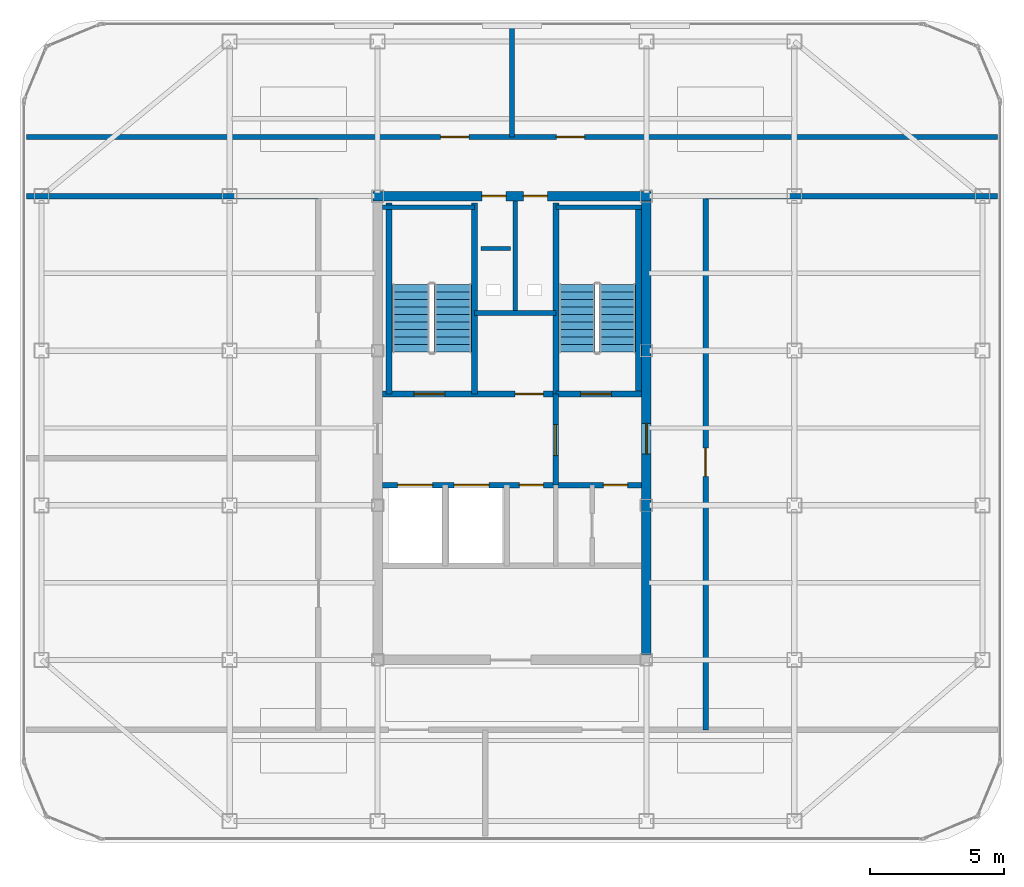
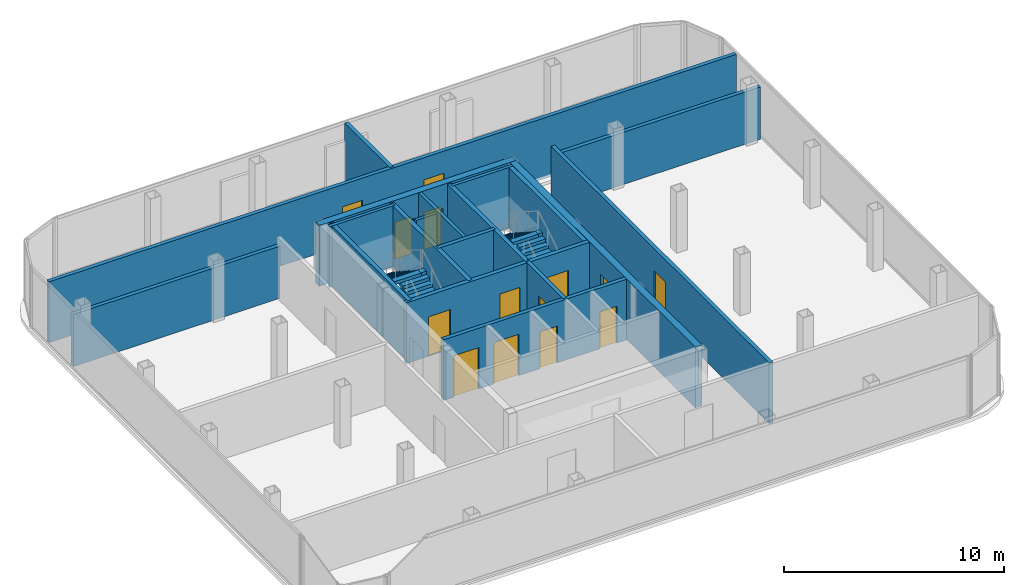
# One storey, part 10 of 11: 20 walls, 14 doors, 4 stair flights, 14 openings, 2 elements without a shape of their own.
"""IFC4 building model written with IfcOpenShell, lengths in metres."""

from ifc_helpers import new_model, si_unit, direction, frame, frame_2d, origin, place, context, subcontext, project, spatial, polyline, rectangle, outline, extrude, material, layer, layer_set, type_object, element, fill, aggregate, save


model = new_model("IFC4")

# Units and contexts
model_context = context("Model", 3, precision=1e-05, world=origin(), true_north=direction((0.0, 1.0)))
body_context = subcontext(model_context, "Body", "Model", "MODEL_VIEW")
ifc_project = project(units=[si_unit("LENGTHUNIT", "METRE"), si_unit("AREAUNIT", "SQUARE_METRE"), si_unit("VOLUMEUNIT", "CUBIC_METRE"), si_unit("PLANEANGLEUNIT", "RADIAN"), si_unit("MASSUNIT", "GRAM", prefix="KILO")], contexts=[model_context])

# Site, building, storey
site_placement = place(None, origin())
site = spatial("IfcSite", under=ifc_project, at=site_placement, CompositionType="ELEMENT")
building_placement = place(site_placement, origin())
building = spatial("IfcBuilding", under=site, at=building_placement, Name="Kolveth Station Tower", CompositionType="ELEMENT")
storey_placement = place(building_placement, frame((0.0, 0.0, 274.89990234375)))
storey = spatial("IfcBuildingStorey", under=building, at=storey_placement, Name="L79", CompositionType="ELEMENT", Elevation=274.89990234375)

# Wall, openings, doors
ifc_material_1 = material(Name="Concrete C50/60", Category="concrete")
ifc_layer_1 = layer(ifc_material_1, 0.35009765625)
ifc_layer_set_1 = layer_set([ifc_layer_1], Name="Concrete C50/60")
wall_type_1 = type_object("IfcWallType", Name="Wall_CW-350", PredefinedType="SHEAR", material=ifc_layer_set_1)
wall_1_placement = place(storey_placement, frame((18.324951171875, 28.75, 0.0), z_axis=(0.0, 0.0, 1.0), x_axis=(1.0, 0.0, 0.0)))
wall_1 = element("IfcWall", 1, at=wall_1_placement, inside=storey, type_object=wall_type_1, Name="L79 Core RC Shear Wall N", PredefinedType="SHEAR", context=body_context, shape_type="SweptSolid", body=[
    extrude(rectangle(XDim=10.35009765625, YDim=0.35009765625, at=frame_2d((5.175048828125, 0.0))), origin(), (0.0, 0.0, 1.0), 3.380126953125),
])
opening_1_placement = place(wall_1_placement, frame((4.054931640625, 0.0, 0.0)))
opening_1 = element("IfcOpeningElement", 2, at=opening_1_placement, cuts=wall_1, Name="Opening RD1", PredefinedType="OPENING", context=body_context, shape_type="SweptSolid", body=[
    extrude(rectangle(XDim=0.89990234375, YDim=2.050048828125, at=frame_2d((0.449951171875, 1.02490234375))), frame((0.0, 0.18505859375, 0.0), z_axis=(0.0, -1.0, 0.0), x_axis=(1.0, 0.0, 0.0)), (0.0, 0.0, 1.0), 0.3701171875),
])
opening_2_placement = place(wall_1_placement, frame((5.594970703125, 0.0, 0.0)))
opening_2 = element("IfcOpeningElement", 3, at=opening_2_placement, cuts=wall_1, Name="Opening RD1", PredefinedType="OPENING", context=body_context, shape_type="SweptSolid", body=[
    extrude(rectangle(XDim=0.89990234375, YDim=2.050048828125, at=frame_2d((0.449951171875, 1.02490234375))), frame((0.0, 0.18505859375, 0.0), z_axis=(0.0, -1.0, 0.0), x_axis=(1.0, 0.0, 0.0)), (0.0, 0.0, 1.0), 0.3701171875),
])
ifc_material_2 = material(Name="Fire-rated Steel S355 riser access leaf", Category="steel")
door_type_1 = type_object("IfcDoorType", Name="Door_RD1", OperationType="NOTDEFINED", PredefinedType="DOOR", material=ifc_material_2)
door_1_placement = place(opening_1_placement, origin())
door_1 = element("IfcDoor", 4, at=door_1_placement, inside=storey, type_object=door_type_1, Name="L79 Electrical Riser Access Door", OperationType="SINGLE_SWING_LEFT", OverallHeight=2.050048828125, OverallWidth=0.89990234375, PredefinedType="DOOR", context=body_context, shape_type="SweptSolid", body=[
    extrude(rectangle(XDim=0.89990234375, YDim=2.050048828125, at=frame_2d((0.449951171875, 1.02490234375))), frame((0.0, 0.02490234375, 0.0), z_axis=(0.0, -1.0, 0.0), x_axis=(1.0, 0.0, 0.0)), (0.0, 0.0, 1.0), 0.050048828125),
])
fill(opening_1, door_1)
door_2_placement = place(opening_2_placement, origin())
door_2 = element("IfcDoor", 5, at=door_2_placement, inside=storey, type_object=door_type_1, Name="L79 Smoke Duct Access Door", OperationType="SINGLE_SWING_LEFT", OverallHeight=2.050048828125, OverallWidth=0.89990234375, PredefinedType="DOOR", context=body_context, shape_type="SweptSolid", body=[
    extrude(rectangle(XDim=0.89990234375, YDim=2.050048828125, at=frame_2d((0.449951171875, 1.02490234375))), frame((0.0, 0.02490234375, 0.0), z_axis=(0.0, -1.0, 0.0), x_axis=(1.0, 0.0, 0.0)), (0.0, 0.0, 1.0), 0.050048828125),
])
fill(opening_2, door_2)

# Wall, opening, door
wall_2_placement = place(storey_placement, frame((28.5, 11.675048828125, 0.0), z_axis=(0.0, 0.0, 1.0), x_axis=(0.0, 1.0, 0.0)))
wall_2 = element("IfcWall", 6, at=wall_2_placement, inside=storey, type_object=wall_type_1, Name="L79 Core RC Shear Wall E", PredefinedType="SHEAR", context=body_context, shape_type="SweptSolid", body=[
    extrude(rectangle(XDim=16.89990234375, YDim=0.35009765625, at=frame_2d((8.449951171875, 0.0))), origin(), (0.0, 0.0, 1.0), 3.380126953125),
])
opening_3_placement = place(wall_2_placement, frame((7.47509765625, 0.0, 0.0)))
opening_3 = element("IfcOpeningElement", 7, at=opening_3_placement, cuts=wall_2, Name="Opening FD1", PredefinedType="OPENING", context=body_context, shape_type="SweptSolid", body=[
    extrude(rectangle(XDim=1.14990234375, YDim=2.199951171875, at=frame_2d((0.574951171875, 1.10009765625))), frame((0.0, 0.18505859375, 0.0), z_axis=(0.0, -1.0, 0.0), x_axis=(1.0, 0.0, 0.0)), (0.0, 0.0, 1.0), 0.3701171875),
])
ifc_material_3 = material(Name="Fire-rated Steel S355 leaf and frame", Category="steel")
door_type_2 = type_object("IfcDoorType", Name="Door_FD1", OperationType="NOTDEFINED", PredefinedType="DOOR", material=ifc_material_3)
door_3_placement = place(opening_3_placement, origin())
door_3 = element("IfcDoor", 8, at=door_3_placement, inside=storey, type_object=door_type_2, Name="L79 East Corridor to Stair Lobby Door", OperationType="SINGLE_SWING_RIGHT", OverallHeight=2.199951171875, OverallWidth=1.14990234375, PredefinedType="DOOR", context=body_context, shape_type="SweptSolid", body=[
    extrude(rectangle(XDim=1.14990234375, YDim=2.199951171875, at=frame_2d((0.574951171875, 1.10009765625))), frame((0.0, 0.02490234375, 0.0), z_axis=(0.0, -1.0, 0.0), x_axis=(1.0, 0.0, 0.0)), (0.0, 0.0, 1.0), 0.050048828125),
])
fill(opening_3, door_3)

# Walls
ifc_material_4 = material(Name="Acoustic double-stud gypsum partition")
ifc_layer_2 = layer(ifc_material_4, 0.1650390625)
ifc_layer_set_2 = layer_set([ifc_layer_2], Name="Acoustic double-stud gypsum partition")
wall_type_2 = type_object("IfcWallType", Name="Wall_IW-165", PredefinedType="PARTITIONING", material=ifc_layer_set_2)
wall_3_placement = place(storey_placement, frame((18.68505859375, 28.3349609375, 0.0), z_axis=(0.0, 0.0, 1.0), x_axis=(1.0, 0.0, 0.0)))
element("IfcWall", 9, at=wall_3_placement, inside=storey, type_object=wall_type_2, Name="L79 Stair Shaft Wall WL-L79-ST1-N", PredefinedType="PARTITIONING", context=body_context, shape_type="SweptSolid", body=[
    extrude(rectangle(XDim=3.425048828125, YDim=0.1650390625, at=frame_2d((1.71240234375, 0.0))), origin(), (0.0, 0.0, 1.0), 3.380126953125),
])
wall_4_placement = place(storey_placement, frame((25.1298828125, 28.3349609375, 0.0), z_axis=(0.0, 0.0, 1.0), x_axis=(1.0, 0.0, 0.0)))
element("IfcWall", 10, at=wall_4_placement, inside=storey, type_object=wall_type_2, Name="L79 Stair Shaft Wall WL-L79-ST2-N", PredefinedType="PARTITIONING", context=body_context, shape_type="SweptSolid", body=[
    extrude(rectangle(XDim=3.18505859375, YDim=0.1650390625, at=frame_2d((1.592529296875, 0.0))), origin(), (0.0, 0.0, 1.0), 3.380126953125),
])
wall_5_placement = place(storey_placement, frame((23.6201171875, 24.39990234375, 0.0), z_axis=(0.0, 0.0, 1.0), x_axis=(0.0, 1.0, 0.0)))
element("IfcWall", 11, at=wall_5_placement, inside=storey, type_object=wall_type_2, Name="L79 Partition Wall WL-L79-RSR-M", PredefinedType="PARTITIONING", context=body_context, shape_type="SweptSolid", body=[
    extrude(rectangle(XDim=4.1650390625, YDim=0.1650390625, at=frame_2d((2.08251953125, 0.0))), origin(), (0.0, 0.0, 1.0), 3.380126953125),
])
wall_6_placement = place(storey_placement, frame((22.35009765625, 26.800048828125, 0.0), z_axis=(0.0, 0.0, 1.0), x_axis=(1.0, 0.0, 0.0)))
element("IfcWall", 12, at=wall_6_placement, inside=storey, type_object=wall_type_2, Name="L79 Acoustic Riser Dry-Lining Wall", PredefinedType="PARTITIONING", context=body_context, shape_type="SweptSolid", body=[
    extrude(rectangle(XDim=1.099853515625, YDim=0.1650390625, at=frame_2d((0.5498046875, 0.0))), origin(), (0.0, 0.0, 1.0), 3.380126953125),
])
ifc_material_5 = material(Name="Acoustic fire-rated gypsum blockwork", Category="masonry")
ifc_layer_3 = layer(ifc_material_5, 0.199951171875)
ifc_layer_set_3 = layer_set([ifc_layer_3], Name="Acoustic fire-rated gypsum blockwork")
wall_type_3 = type_object("IfcWallType", Name="Wall_IW-200", PredefinedType="PARTITIONING", material=ifc_layer_set_3)
wall_7_placement = place(storey_placement, frame((22.110107421875, 24.39990234375, 0.0), z_axis=(0.0, 0.0, 1.0), x_axis=(1.0, 0.0, 0.0)))
element("IfcWall", 13, at=wall_7_placement, inside=storey, type_object=wall_type_3, Name="L79 Partition Wall WL-L79-RSR-S", PredefinedType="PARTITIONING", context=body_context, shape_type="SweptSolid", body=[
    extrude(rectangle(XDim=3.019775390625, YDim=0.199951171875, at=frame_2d((1.509765625, 0.0))), origin(), (0.0, 0.0, 1.0), 3.380126953125),
])

# Wall, opening, door
wall_8_placement = place(storey_placement, frame((25.1298828125, 18.0, 0.0), z_axis=(0.0, 0.0, 1.0), x_axis=(0.0, 1.0, 0.0)))
wall_8 = element("IfcWall", 14, at=wall_8_placement, inside=storey, type_object=wall_type_3, Name="L79 Partition Wall WL-L79-FFL-E", PredefinedType="PARTITIONING", context=body_context, shape_type="SweptSolid", body=[
    extrude(rectangle(XDim=3.389892578125, YDim=0.199951171875, at=frame_2d((1.69482421875, 0.0))), origin(), (0.0, 0.0, 1.0), 3.380126953125),
])
opening_4_placement = place(wall_8_placement, frame((1.10009765625, 0.0, 0.0)))
opening_4 = element("IfcOpeningElement", 15, at=opening_4_placement, cuts=wall_8, Name="Opening FD1", PredefinedType="OPENING", context=body_context, shape_type="SweptSolid", body=[
    extrude(rectangle(XDim=1.14990234375, YDim=2.199951171875, at=frame_2d((0.574951171875, 1.10009765625))), frame((0.0, 0.10986328125, 0.0), z_axis=(0.0, -1.0, 0.0), x_axis=(1.0, 0.0, 0.0)), (0.0, 0.0, 1.0), 0.219970703125),
])
door_4_placement = place(opening_4_placement, origin())
door_4 = element("IfcDoor", 16, at=door_4_placement, inside=storey, type_object=door_type_2, Name="L79 Firefighting to Stair Lobby Door", OperationType="SINGLE_SWING_LEFT", OverallHeight=2.199951171875, OverallWidth=1.14990234375, PredefinedType="DOOR", context=body_context, shape_type="SweptSolid", body=[
    extrude(rectangle(XDim=1.14990234375, YDim=2.199951171875, at=frame_2d((0.574951171875, 1.10009765625))), frame((0.0, 0.02490234375, 0.0), z_axis=(0.0, -1.0, 0.0), x_axis=(1.0, 0.0, 0.0)), (0.0, 0.0, 1.0), 0.050048828125),
])
fill(opening_4, door_4)

# Wall, openings, doors
wall_9_placement = place(storey_placement, frame((18.68505859375, 18.0, 0.0), z_axis=(0.0, 0.0, 1.0), x_axis=(1.0, 0.0, 0.0)))
wall_9 = element("IfcWall", 17, at=wall_9_placement, inside=storey, type_object=wall_type_3, Name="L79 Partition Wall WL-L79-FFL-S", PredefinedType="PARTITIONING", context=body_context, shape_type="SweptSolid", body=[
    extrude(rectangle(XDim=9.6298828125, YDim=0.199951171875, at=frame_2d((4.81494140625, 0.0))), origin(), (0.0, 0.0, 1.0), 3.380126953125),
])
opening_5_placement = place(wall_9_placement, frame((0.56494140625, 0.0, 0.0)))
opening_5 = element("IfcOpeningElement", 18, at=opening_5_placement, cuts=wall_9, Name="Opening LD2", PredefinedType="OPENING", context=body_context, shape_type="SweptSolid", body=[
    extrude(rectangle(XDim=1.300048828125, YDim=2.300048828125, at=frame_2d((0.64990234375, 1.14990234375))), frame((0.0, 0.10986328125, 0.0), z_axis=(0.0, -1.0, 0.0), x_axis=(1.0, 0.0, 0.0)), (0.0, 0.0, 1.0), 0.219970703125),
])
opening_6_placement = place(wall_9_placement, frame((2.6650390625, 0.0, 0.0)))
opening_6 = element("IfcOpeningElement", 19, at=opening_6_placement, cuts=wall_9, Name="Opening LD2", PredefinedType="OPENING", context=body_context, shape_type="SweptSolid", body=[
    extrude(rectangle(XDim=1.300048828125, YDim=2.300048828125, at=frame_2d((0.64990234375, 1.14990234375))), frame((0.0, 0.10986328125, 0.0), z_axis=(0.0, -1.0, 0.0), x_axis=(1.0, 0.0, 0.0)), (0.0, 0.0, 1.0), 0.219970703125),
])
opening_7_placement = place(wall_9_placement, frame((5.0849609375, 0.0, 0.0)))
opening_7 = element("IfcOpeningElement", 20, at=opening_7_placement, cuts=wall_9, Name="Opening RD1", PredefinedType="OPENING", context=body_context, shape_type="SweptSolid", body=[
    extrude(rectangle(XDim=0.89990234375, YDim=2.050048828125, at=frame_2d((0.449951171875, 1.02490234375))), frame((0.0, 0.10986328125, 0.0), z_axis=(0.0, -1.0, 0.0), x_axis=(1.0, 0.0, 0.0)), (0.0, 0.0, 1.0), 0.219970703125),
])
opening_8_placement = place(wall_9_placement, frame((8.215087890625, 0.0, 0.0)))
opening_8 = element("IfcOpeningElement", 21, at=opening_8_placement, cuts=wall_9, Name="Opening RD1", PredefinedType="OPENING", context=body_context, shape_type="SweptSolid", body=[
    extrude(rectangle(XDim=0.89990234375, YDim=2.050048828125, at=frame_2d((0.449951171875, 1.02490234375))), frame((0.0, 0.10986328125, 0.0), z_axis=(0.0, -1.0, 0.0), x_axis=(1.0, 0.0, 0.0)), (0.0, 0.0, 1.0), 0.219970703125),
])
ifc_material_6 = material(Name="Firefighting stainless steel sliding landing doors", Category="steel")
door_type_3 = type_object("IfcDoorType", Name="Door_LD2", OperationType="NOTDEFINED", PredefinedType="DOOR", material=ifc_material_6)
door_5_placement = place(opening_5_placement, origin())
door_5 = element("IfcDoor", 22, at=door_5_placement, inside=storey, type_object=door_type_3, Name="L79 Firefighting Lift FF1 Landing Door", OperationType="DOUBLE_DOOR_SLIDING", OverallHeight=2.300048828125, OverallWidth=1.300048828125, PredefinedType="DOOR", context=body_context, shape_type="SweptSolid", body=[
    extrude(rectangle(XDim=1.300048828125, YDim=2.300048828125, at=frame_2d((0.64990234375, 1.14990234375))), frame((0.0, 0.02490234375, 0.0), z_axis=(0.0, -1.0, 0.0), x_axis=(1.0, 0.0, 0.0)), (0.0, 0.0, 1.0), 0.050048828125),
])
fill(opening_5, door_5)
door_6_placement = place(opening_6_placement, origin())
door_6 = element("IfcDoor", 23, at=door_6_placement, inside=storey, type_object=door_type_3, Name="L79 Firefighting Lift FF2 Landing Door", OperationType="DOUBLE_DOOR_SLIDING", OverallHeight=2.300048828125, OverallWidth=1.300048828125, PredefinedType="DOOR", context=body_context, shape_type="SweptSolid", body=[
    extrude(rectangle(XDim=1.300048828125, YDim=2.300048828125, at=frame_2d((0.64990234375, 1.14990234375))), frame((0.0, 0.02490234375, 0.0), z_axis=(0.0, -1.0, 0.0), x_axis=(1.0, 0.0, 0.0)), (0.0, 0.0, 1.0), 0.050048828125),
])
fill(opening_6, door_6)
door_7_placement = place(opening_7_placement, frame((0.89990234375, 0.0, 0.0), z_axis=(0.0, 0.0, 1.0), x_axis=(-1.0, 0.0, 0.0)))
door_7 = element("IfcDoor", 24, at=door_7_placement, inside=storey, type_object=door_type_1, Name="L79 Core Staff WC Door", OperationType="SINGLE_SWING_RIGHT", OverallHeight=2.050048828125, OverallWidth=0.89990234375, PredefinedType="DOOR", context=body_context, shape_type="SweptSolid", body=[
    extrude(rectangle(XDim=0.89990234375, YDim=2.050048828125, at=frame_2d((0.449951171875, 1.02490234375))), frame((0.0, 0.02490234375, 0.0), z_axis=(0.0, -1.0, 0.0), x_axis=(1.0, 0.0, 0.0)), (0.0, 0.0, 1.0), 0.050048828125),
])
fill(opening_7, door_7)
door_8_placement = place(opening_8_placement, frame((0.89990234375, 0.0, 0.0), z_axis=(0.0, 0.0, 1.0), x_axis=(-1.0, 0.0, 0.0)))
door_8 = element("IfcDoor", 25, at=door_8_placement, inside=storey, type_object=door_type_1, Name="L79 Core Janitor Store Door", OperationType="SINGLE_SWING_RIGHT", OverallHeight=2.050048828125, OverallWidth=0.89990234375, PredefinedType="DOOR", context=body_context, shape_type="SweptSolid", body=[
    extrude(rectangle(XDim=0.89990234375, YDim=2.050048828125, at=frame_2d((0.449951171875, 1.02490234375))), frame((0.0, 0.02490234375, 0.0), z_axis=(0.0, -1.0, 0.0), x_axis=(1.0, 0.0, 0.0)), (0.0, 0.0, 1.0), 0.050048828125),
])
fill(opening_8, door_8)

wall_10_placement = place(storey_placement, frame((5.449951171875, 30.949951171875, 0.0), z_axis=(0.0, 0.0, 1.0), x_axis=(1.0, 0.0, 0.0)))
wall_10 = element("IfcWall", 26, at=wall_10_placement, inside=storey, type_object=wall_type_3, Name="L79 Partition Wall WL-L79-PR-N", PredefinedType="PARTITIONING", context=body_context, shape_type="SweptSolid", body=[
    extrude(rectangle(XDim=36.10009765625, YDim=0.199951171875, at=frame_2d((18.050048828125, 0.0))), origin(), (0.0, 0.0, 1.0), 3.380126953125),
])
opening_9_placement = place(wall_10_placement, frame((15.39990234375, 0.0, 0.0)))
opening_9 = element("IfcOpeningElement", 27, at=opening_9_placement, cuts=wall_10, Name="Opening FD2", PredefinedType="OPENING", context=body_context, shape_type="SweptSolid", body=[
    extrude(rectangle(XDim=1.050048828125, YDim=2.14990234375, at=frame_2d((0.52490234375, 1.074951171875))), frame((0.0, 0.10986328125, 0.0), z_axis=(0.0, -1.0, 0.0), x_axis=(1.0, 0.0, 0.0)), (0.0, 0.0, 1.0), 0.219970703125),
])
opening_10_placement = place(wall_10_placement, frame((19.699951171875, 0.0, 0.0)))
opening_10 = element("IfcOpeningElement", 28, at=opening_10_placement, cuts=wall_10, Name="Opening FD2", PredefinedType="OPENING", context=body_context, shape_type="SweptSolid", body=[
    extrude(rectangle(XDim=1.050048828125, YDim=2.14990234375, at=frame_2d((0.52490234375, 1.074951171875))), frame((0.0, 0.10986328125, 0.0), z_axis=(0.0, -1.0, 0.0), x_axis=(1.0, 0.0, 0.0)), (0.0, 0.0, 1.0), 0.219970703125),
])
door_type_4 = type_object("IfcDoorType", Name="Door_FD2", OperationType="NOTDEFINED", PredefinedType="DOOR", material=ifc_material_3)
door_9_placement = place(opening_9_placement, origin())
door_9 = element("IfcDoor", 29, at=door_9_placement, inside=storey, type_object=door_type_4, Name="L79 Water Tank Room Door", OperationType="SINGLE_SWING_LEFT", OverallHeight=2.14990234375, OverallWidth=1.050048828125, PredefinedType="DOOR", context=body_context, shape_type="SweptSolid", body=[
    extrude(rectangle(XDim=1.050048828125, YDim=2.14990234375, at=frame_2d((0.52490234375, 1.074951171875))), frame((0.0, 0.02490234375, 0.0), z_axis=(0.0, -1.0, 0.0), x_axis=(1.0, 0.0, 0.0)), (0.0, 0.0, 1.0), 0.050048828125),
])
fill(opening_9, door_9)
door_10_placement = place(opening_10_placement, origin())
door_10 = element("IfcDoor", 30, at=door_10_placement, inside=storey, type_object=door_type_4, Name="L79 Elevator Machine Plant Room Door", OperationType="SINGLE_SWING_RIGHT", OverallHeight=2.14990234375, OverallWidth=1.050048828125, PredefinedType="DOOR", context=body_context, shape_type="SweptSolid", body=[
    extrude(rectangle(XDim=1.050048828125, YDim=2.14990234375, at=frame_2d((0.52490234375, 1.074951171875))), frame((0.0, 0.02490234375, 0.0), z_axis=(0.0, -1.0, 0.0), x_axis=(1.0, 0.0, 0.0)), (0.0, 0.0, 1.0), 0.050048828125),
])
fill(opening_10, door_10)

# Wall, opening, door
wall_11_placement = place(storey_placement, frame((30.699951171875, 8.89990234375, 0.0), z_axis=(0.0, 0.0, 1.0), x_axis=(0.0, 1.0, 0.0)))
wall_11 = element("IfcWall", 31, at=wall_11_placement, inside=storey, type_object=wall_type_3, Name="L79 Partition Wall WL-L79-PR-E", PredefinedType="PARTITIONING", context=body_context, shape_type="SweptSolid", body=[
    extrude(rectangle(XDim=19.85009765625, YDim=0.199951171875, at=frame_2d((9.925048828125, 0.0))), origin(), (0.0, 0.0, 1.0), 3.380126953125),
])
opening_11_placement = place(wall_11_placement, frame((9.425048828125, 0.0, 0.0)))
opening_11 = element("IfcOpeningElement", 32, at=opening_11_placement, cuts=wall_11, Name="Opening FD2", PredefinedType="OPENING", context=body_context, shape_type="SweptSolid", body=[
    extrude(rectangle(XDim=1.050048828125, YDim=2.14990234375, at=frame_2d((0.52490234375, 1.074951171875))), frame((0.0, 0.10986328125, 0.0), z_axis=(0.0, -1.0, 0.0), x_axis=(1.0, 0.0, 0.0)), (0.0, 0.0, 1.0), 0.219970703125),
])
door_11_placement = place(opening_11_placement, origin())
door_11 = element("IfcDoor", 33, at=door_11_placement, inside=storey, type_object=door_type_4, Name="L79 Medium Voltage Switchgear Room Door", OperationType="SINGLE_SWING_LEFT", OverallHeight=2.14990234375, OverallWidth=1.050048828125, PredefinedType="DOOR", context=body_context, shape_type="SweptSolid", body=[
    extrude(rectangle(XDim=1.050048828125, YDim=2.14990234375, at=frame_2d((0.52490234375, 1.074951171875))), frame((0.0, 0.02490234375, 0.0), z_axis=(0.0, -1.0, 0.0), x_axis=(1.0, 0.0, 0.0)), (0.0, 0.0, 1.0), 0.050048828125),
])
fill(opening_11, door_11)

# Walls
for number, where, z_axis, x_axis, name in (
    (34, (5.449951171875, 28.75, 0.0), (0.0, 0.0, 1.0), (1.0, 0.0, 0.0), "L79 Partition Wall WL-L79-CR-WN"),
    (35, (30.699951171875, 28.75, 0.0), (0.0, 0.0, 1.0), (1.0, 0.0, 0.0), "L79 Partition Wall WL-L79-CR-EN"),
):
    element("IfcWall", number, at=place(storey_placement, frame(where, z_axis=z_axis, x_axis=x_axis)), inside=storey, type_object=wall_type_3, Name=name, PredefinedType="PARTITIONING", context=body_context, shape_type="SweptSolid", body=[
        extrude(rectangle(XDim=10.85009765625, YDim=0.199951171875, at=frame_2d((5.425048828125, 0.0))), origin(), (0.0, 0.0, 1.0), 2.905029296875),
    ])
wall_12_placement = place(storey_placement, frame((23.5, 30.949951171875, 0.0), z_axis=(0.0, 0.0, 1.0), x_axis=(0.0, 1.0, 0.0)))
element("IfcWall", 36, at=wall_12_placement, inside=storey, type_object=wall_type_3, Name="L79 Partition Wall WL-L79-CN-P1", PredefinedType="PARTITIONING", context=body_context, shape_type="SweptSolid", body=[
    extrude(rectangle(XDim=4.10009765625, YDim=0.199951171875, at=frame_2d((2.050048828125, 0.0))), origin(), (0.0, 0.0, 1.0), 3.380126953125),
])
ifc_material_7 = material(Name="Concrete C40/50", Category="concrete")
ifc_layer_4 = layer(ifc_material_7, 0.219970703125)
ifc_layer_set_4 = layer_set([ifc_layer_4], Name="Concrete C40/50")
wall_type_4 = type_object("IfcWallType", Name="Wall_IW-220", PredefinedType="SOLIDWALL", material=ifc_layer_set_4)
for number, where, z_axis, x_axis, name in (
    (37, (18.929931640625, 21.389892578125, 0.0), (0.0, 0.0, 1.0), (0.0, 1.0, 0.0), "L79 Stair Shaft Wall WL-L79-ST1-W"),
    (38, (22.110107421875, 21.389892578125, 0.0), (0.0, 0.0, 1.0), (0.0, 1.0, 0.0), "L79 Stair Shaft Wall WL-L79-ST1-E"),
    (39, (25.1298828125, 21.389892578125, 0.0), (0.0, 0.0, 1.0), (0.0, 1.0, 0.0), "L79 Stair Shaft Wall WL-L79-ST2-W"),
):
    element("IfcWall", number, at=place(storey_placement, frame(where, z_axis=z_axis, x_axis=x_axis)), inside=storey, type_object=wall_type_4, Name=name, PredefinedType="SOLIDWALL", context=body_context, shape_type="SweptSolid", body=[
        extrude(rectangle(XDim=7.110107421875, YDim=0.219970703125, at=frame_2d((3.55517578125, 0.0))), origin(), (0.0, 0.0, 1.0), 3.380126953125),
    ])
wall_13_placement = place(storey_placement, frame((28.2099609375, 21.389892578125, 0.0), z_axis=(0.0, 0.0, 1.0), x_axis=(0.0, 1.0, 0.0)))
element("IfcWall", 40, at=wall_13_placement, inside=storey, type_object=wall_type_4, Name="L79 Stair Shaft Wall WL-L79-ST2-E", PredefinedType="SOLIDWALL", context=body_context, shape_type="SweptSolid", body=[
    extrude(rectangle(XDim=6.945068359375, YDim=0.219970703125, at=frame_2d((3.47265625, 0.0))), origin(), (0.0, 0.0, 1.0), 3.380126953125),
])

# Wall, openings, doors
wall_14_placement = place(storey_placement, frame((18.68505859375, 21.389892578125, 0.0), z_axis=(0.0, 0.0, 1.0), x_axis=(1.0, 0.0, 0.0)))
wall_14 = element("IfcWall", 41, at=wall_14_placement, inside=storey, type_object=wall_type_4, Name="L79 Stair Shaft Wall WL-L79-ST1-S", PredefinedType="SOLIDWALL", context=body_context, shape_type="SweptSolid", body=[
    extrude(rectangle(XDim=6.44482421875, YDim=0.219970703125, at=frame_2d((3.222412109375, 0.0))), origin(), (0.0, 0.0, 1.0), 3.380126953125),
])
opening_12_placement = place(wall_14_placement, frame((1.1650390625, 0.0, 0.0)))
opening_12 = element("IfcOpeningElement", 42, at=opening_12_placement, cuts=wall_14, Name="Opening FD1", PredefinedType="OPENING", context=body_context, shape_type="SweptSolid", body=[
    extrude(rectangle(XDim=1.14990234375, YDim=2.199951171875, at=frame_2d((0.574951171875, 1.10009765625))), frame((0.0, 0.119873046875, 0.0), z_axis=(0.0, -1.0, 0.0), x_axis=(1.0, 0.0, 0.0)), (0.0, 0.0, 1.0), 0.239990234375),
])
opening_13_placement = place(wall_14_placement, frame((4.93505859375, 0.0, 0.0)))
opening_13 = element("IfcOpeningElement", 43, at=opening_13_placement, cuts=wall_14, Name="Opening FD2", PredefinedType="OPENING", context=body_context, shape_type="SweptSolid", body=[
    extrude(rectangle(XDim=1.050048828125, YDim=2.14990234375, at=frame_2d((0.52490234375, 1.074951171875))), frame((0.0, 0.119873046875, 0.0), z_axis=(0.0, -1.0, 0.0), x_axis=(1.0, 0.0, 0.0)), (0.0, 0.0, 1.0), 0.239990234375),
])
door_12_placement = place(opening_12_placement, frame((1.14990234375, 0.0, 0.0), z_axis=(0.0, 0.0, 1.0), x_axis=(-1.0, 0.0, 0.0)))
door_12 = element("IfcDoor", 44, at=door_12_placement, inside=storey, type_object=door_type_2, Name="L79 Stair ST1 Fire Door", OperationType="SINGLE_SWING_LEFT", OverallHeight=2.199951171875, OverallWidth=1.14990234375, PredefinedType="DOOR", context=body_context, shape_type="SweptSolid", body=[
    extrude(rectangle(XDim=1.14990234375, YDim=2.199951171875, at=frame_2d((0.574951171875, 1.10009765625))), frame((0.0, 0.02490234375, 0.0), z_axis=(0.0, -1.0, 0.0), x_axis=(1.0, 0.0, 0.0)), (0.0, 0.0, 1.0), 0.050048828125),
])
fill(opening_12, door_12)
door_13_placement = place(opening_13_placement, origin())
door_13 = element("IfcDoor", 45, at=door_13_placement, inside=storey, type_object=door_type_4, Name="L79 Crown Control Room Door", OperationType="SINGLE_SWING_RIGHT", OverallHeight=2.14990234375, OverallWidth=1.050048828125, PredefinedType="DOOR", context=body_context, shape_type="SweptSolid", body=[
    extrude(rectangle(XDim=1.050048828125, YDim=2.14990234375, at=frame_2d((0.52490234375, 1.074951171875))), frame((0.0, 0.02490234375, 0.0), z_axis=(0.0, -1.0, 0.0), x_axis=(1.0, 0.0, 0.0)), (0.0, 0.0, 1.0), 0.050048828125),
])
fill(opening_13, door_13)

# Wall, opening, door
wall_15_placement = place(storey_placement, frame((25.1298828125, 21.389892578125, 0.0), z_axis=(0.0, 0.0, 1.0), x_axis=(1.0, 0.0, 0.0)))
wall_15 = element("IfcWall", 46, at=wall_15_placement, inside=storey, type_object=wall_type_4, Name="L79 Stair Shaft Wall WL-L79-ST2-S", PredefinedType="SOLIDWALL", context=body_context, shape_type="SweptSolid", body=[
    extrude(rectangle(XDim=3.18505859375, YDim=0.219970703125, at=frame_2d((1.592529296875, 0.0))), origin(), (0.0, 0.0, 1.0), 3.380126953125),
])
opening_14_placement = place(wall_15_placement, frame((0.919921875, 0.0, 0.0)))
opening_14 = element("IfcOpeningElement", 47, at=opening_14_placement, cuts=wall_15, Name="Opening FD1", PredefinedType="OPENING", context=body_context, shape_type="SweptSolid", body=[
    extrude(rectangle(XDim=1.14990234375, YDim=2.199951171875, at=frame_2d((0.574951171875, 1.10009765625))), frame((0.0, 0.119873046875, 0.0), z_axis=(0.0, -1.0, 0.0), x_axis=(1.0, 0.0, 0.0)), (0.0, 0.0, 1.0), 0.239990234375),
])
door_14_placement = place(opening_14_placement, frame((1.14990234375, 0.0, 0.0), z_axis=(0.0, 0.0, 1.0), x_axis=(-1.0, 0.0, 0.0)))
door_14 = element("IfcDoor", 48, at=door_14_placement, inside=storey, type_object=door_type_2, Name="L79 Stair ST2 Fire Door", OperationType="SINGLE_SWING_LEFT", OverallHeight=2.199951171875, OverallWidth=1.14990234375, PredefinedType="DOOR", context=body_context, shape_type="SweptSolid", body=[
    extrude(rectangle(XDim=1.14990234375, YDim=2.199951171875, at=frame_2d((0.574951171875, 1.10009765625))), frame((0.0, 0.02490234375, 0.0), z_axis=(0.0, -1.0, 0.0), x_axis=(1.0, 0.0, 0.0)), (0.0, 0.0, 1.0), 0.050048828125),
])
fill(opening_14, door_14)

# Stair, stair flights
stair_type_1 = type_object("IfcStairType", Name="Stair_ST1", PredefinedType="HALF_TURN_STAIR", material=ifc_material_7)
stair_1_placement = place(storey_placement, origin())
stair_1 = element("IfcStair", 49, at=stair_1_placement, inside=storey, type_object=stair_type_1, Name="L79 Tower Exit Stair ST1", PredefinedType="HALF_TURN_STAIR")
ifc_layer_5 = layer(ifc_material_7, 0.179931640625)
ifc_layer_set_5 = layer_set([ifc_layer_5], Name="Concrete C40/50")
stair_flight_type_1 = type_object("IfcStairFlightType", Name="Flight_ST1", PredefinedType="STRAIGHT", material=ifc_layer_set_5)
stair_flight_1_placement = place(storey_placement, frame((21.300048828125, 22.949951171875, 0.0), z_axis=(0.0, 0.0, 1.0), x_axis=(0.0, 1.0, 0.0)))
stair_flight_1 = element("IfcStairFlight", 50, at=stair_flight_1_placement, type_object=stair_flight_type_1, Name="ST1 flight 1", NumberOfRisers=10, NumberOfTreads=9, PredefinedType="STRAIGHT", RiserHeight=0.18, TreadLength=0.28, context=body_context, shape_type="SweptSolid", body=[
    extrude(outline(polyline([(0.0, 0.0), (0.0, 0.179931640625), (0.280029296875, 0.179931640625), (0.280029296875, 0.360107421875), (0.56005859375, 0.360107421875), (0.56005859375, 0.5400390625), (0.840087890625, 0.5400390625), (0.840087890625, 0.719970703125), (1.1201171875, 0.719970703125), (1.1201171875, 0.89990234375), (1.39990234375, 0.89990234375), (1.39990234375, 1.080078125), (1.679931640625, 1.080078125), (1.679931640625, 1.260009765625), (1.9599609375, 1.260009765625), (1.9599609375, 1.43994140625), (2.239990234375, 1.43994140625), (2.239990234375, 1.6201171875), (2.52001953125, 1.6201171875), (2.52001953125, 1.800048828125), (2.52001953125, 1.44189453125), (0.277099609375, 0.0), (0.0, 0.0)])), frame((0.0, 0.699951171875, 0.0), z_axis=(0.0, -1.0, 0.0), x_axis=(1.0, 0.0, 0.0)), (0.0, 0.0, 1.0), 1.39990234375),
])
stair_flight_2_placement = place(storey_placement, frame((19.739990234375, 25.469970703125, 1.800048828125), z_axis=(0.0, 0.0, 1.0), x_axis=(0.0, -1.0, 0.0)))
stair_flight_2 = element("IfcStairFlight", 51, at=stair_flight_2_placement, type_object=stair_flight_type_1, Name="ST1 flight 2", NumberOfRisers=10, NumberOfTreads=9, PredefinedType="STRAIGHT", RiserHeight=0.18, TreadLength=0.28, context=body_context, shape_type="SweptSolid", body=[
    extrude(outline(polyline([(0.0, 0.0), (0.0, 0.179931640625), (0.280029296875, 0.179931640625), (0.280029296875, 0.360107421875), (0.56005859375, 0.360107421875), (0.56005859375, 0.5400390625), (0.840087890625, 0.5400390625), (0.840087890625, 0.719970703125), (1.1201171875, 0.719970703125), (1.1201171875, 0.89990234375), (1.39990234375, 0.89990234375), (1.39990234375, 1.080078125), (1.679931640625, 1.080078125), (1.679931640625, 1.260009765625), (1.9599609375, 1.260009765625), (1.9599609375, 1.43994140625), (2.239990234375, 1.43994140625), (2.239990234375, 1.6201171875), (2.52001953125, 1.6201171875), (2.52001953125, 1.800048828125), (2.52001953125, 1.44189453125), (0.277099609375, 0.0), (0.0, 0.0)])), frame((0.0, 0.699951171875, 0.0), z_axis=(0.0, -1.0, 0.0), x_axis=(1.0, 0.0, 0.0)), (0.0, 0.0, 1.0), 1.39990234375),
])
aggregate(stair_1, [stair_flight_1, stair_flight_2])

stair_type_2 = type_object("IfcStairType", Name="Stair_ST2", PredefinedType="HALF_TURN_STAIR", material=ifc_material_7)
stair_2_placement = place(storey_placement, origin())
stair_2 = element("IfcStair", 52, at=stair_2_placement, inside=storey, type_object=stair_type_2, Name="L79 Tower Exit Stair ST2", PredefinedType="HALF_TURN_STAIR")
ifc_layer_6 = layer(ifc_material_7, 0.179931640625)
ifc_layer_set_6 = layer_set([ifc_layer_6], Name="Concrete C40/50")
stair_flight_type_2 = type_object("IfcStairFlightType", Name="Flight_ST2", PredefinedType="STRAIGHT", material=ifc_layer_set_6)
stair_flight_3_placement = place(storey_placement, frame((27.425048828125, 22.949951171875, 0.0), z_axis=(0.0, 0.0, 1.0), x_axis=(0.0, 1.0, 0.0)))
stair_flight_3 = element("IfcStairFlight", 53, at=stair_flight_3_placement, type_object=stair_flight_type_2, Name="ST2 flight 1", NumberOfRisers=10, NumberOfTreads=9, PredefinedType="STRAIGHT", RiserHeight=0.18, TreadLength=0.28, context=body_context, shape_type="SweptSolid", body=[
    extrude(outline(polyline([(0.0, 0.0), (0.0, 0.179931640625), (0.280029296875, 0.179931640625), (0.280029296875, 0.360107421875), (0.56005859375, 0.360107421875), (0.56005859375, 0.5400390625), (0.840087890625, 0.5400390625), (0.840087890625, 0.719970703125), (1.1201171875, 0.719970703125), (1.1201171875, 0.89990234375), (1.39990234375, 0.89990234375), (1.39990234375, 1.080078125), (1.679931640625, 1.080078125), (1.679931640625, 1.260009765625), (1.9599609375, 1.260009765625), (1.9599609375, 1.43994140625), (2.239990234375, 1.43994140625), (2.239990234375, 1.6201171875), (2.52001953125, 1.6201171875), (2.52001953125, 1.800048828125), (2.52001953125, 1.44189453125), (0.277099609375, 0.0), (0.0, 0.0)])), frame((0.0, 0.675048828125, 0.0), z_axis=(0.0, -1.0, 0.0), x_axis=(1.0, 0.0, 0.0)), (0.0, 0.0, 1.0), 1.35009765625),
])
stair_flight_4_placement = place(storey_placement, frame((25.9150390625, 25.469970703125, 1.800048828125), z_axis=(0.0, 0.0, 1.0), x_axis=(0.0, -1.0, 0.0)))
stair_flight_4 = element("IfcStairFlight", 54, at=stair_flight_4_placement, type_object=stair_flight_type_2, Name="ST2 flight 2", NumberOfRisers=10, NumberOfTreads=9, PredefinedType="STRAIGHT", RiserHeight=0.18, TreadLength=0.28, context=body_context, shape_type="SweptSolid", body=[
    extrude(outline(polyline([(0.0, 0.0), (0.0, 0.179931640625), (0.280029296875, 0.179931640625), (0.280029296875, 0.360107421875), (0.56005859375, 0.360107421875), (0.56005859375, 0.5400390625), (0.840087890625, 0.5400390625), (0.840087890625, 0.719970703125), (1.1201171875, 0.719970703125), (1.1201171875, 0.89990234375), (1.39990234375, 0.89990234375), (1.39990234375, 1.080078125), (1.679931640625, 1.080078125), (1.679931640625, 1.260009765625), (1.9599609375, 1.260009765625), (1.9599609375, 1.43994140625), (2.239990234375, 1.43994140625), (2.239990234375, 1.6201171875), (2.52001953125, 1.6201171875), (2.52001953125, 1.800048828125), (2.52001953125, 1.44189453125), (0.277099609375, 0.0), (0.0, 0.0)])), frame((0.0, 0.675048828125, 0.0), z_axis=(0.0, -1.0, 0.0), x_axis=(1.0, 0.0, 0.0)), (0.0, 0.0, 1.0), 1.35009765625),
])
aggregate(stair_2, [stair_flight_3, stair_flight_4])

save(model, "model.ifc")
